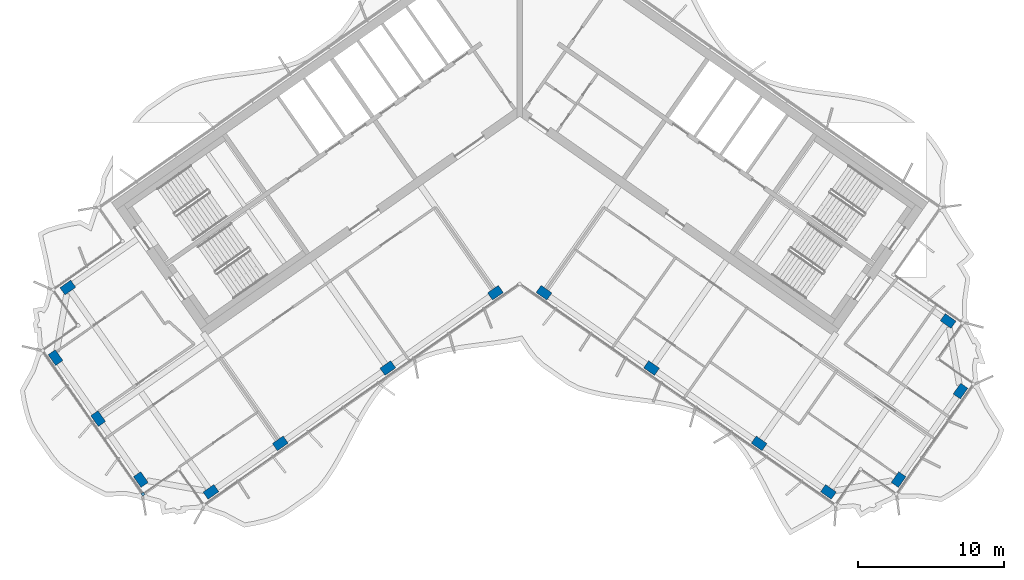
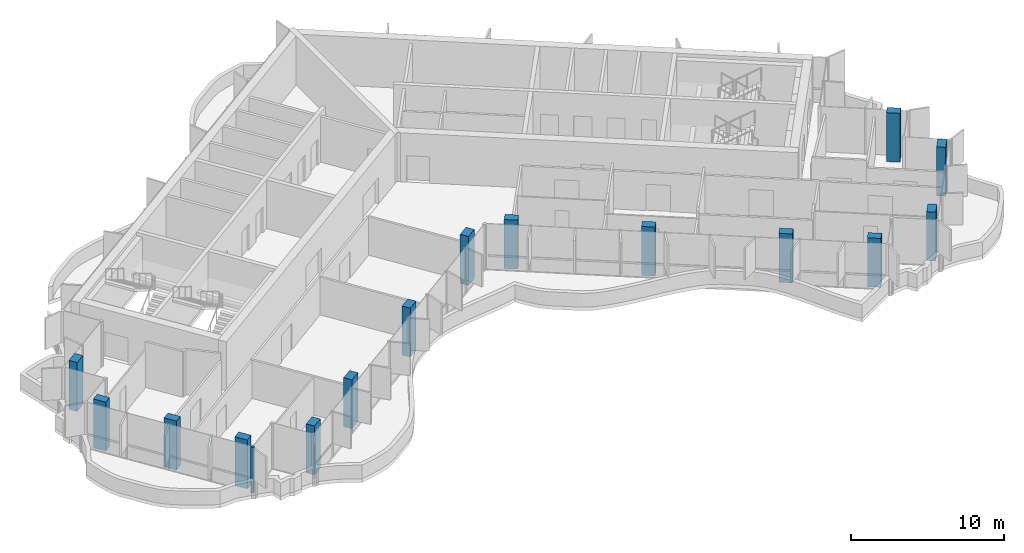
# One storey, part 1 of 18: 15 columns, 1 member, 1 element without a shape of its own.
"""IFC4 building model written with IfcOpenShell, lengths in metres."""

import ifcopenshell
import ifcopenshell.guid

model = None  # the IFC model being written
_history = None  # IfcOwnerHistory: only IFC2X3 demands one
_inside = {}  # id of a spatial element -> (the spatial element, [elements in it])
_under = {}  # id of a project, library or spatial element -> (it, [spatial elements below it])
_declared = {}  # id of a project -> (the project, [libraries it declares])
_typed = {}  # id of a type object -> (the type object, [elements of that type])
_made_of = {}  # id of a material, layer set ... -> (it, [elements and type objects made of it])


def new_model(schema):
    """Start an empty IFC model of exactly this schema.

    Asked for "IFC4X3", IfcOpenShell would pick the latest addendum, in which some entities
    have other attributes; the version numbers below select the first issue.
    IFC2X3 requires an IfcOwnerHistory on every rooted entity: one is made here for all.
    """
    global model, _history
    if schema == "IFC4X3":
        model = ifcopenshell.file(schema_version=(4, 3, 0, 0))
    else:
        model = ifcopenshell.file(schema=schema)
    _inside.clear()
    _under.clear()
    _declared.clear()
    _typed.clear()
    _made_of.clear()
    _history = None
    if model.schema == "IFC2X3":
        org = make("IfcOrganization", Name="unknown")
        user = make(
            "IfcPersonAndOrganization",
            ThePerson=make("IfcPerson", FamilyName="unknown"),
            TheOrganization=org,
        )
        app = make(
            "IfcApplication",
            ApplicationDeveloper=org,
            Version="unknown",
            ApplicationFullName="unknown",
            ApplicationIdentifier="unknown",
        )
        _history = make(
            "IfcOwnerHistory",
            OwningUser=user,
            OwningApplication=app,
            ChangeAction="ADDED",
            CreationDate=0,
        )
    return model


def make(cls, **values):
    """One entity of the class cls with the attributes given. An attribute that is None is left unset."""
    return model.create_entity(
        cls, **{name: value for name, value in values.items() if value is not None}
    )


def rooted(cls, **values):
    """An entity with a GlobalId (a new one), such as an element, a storey or a relation."""
    return make(cls, GlobalId=ifcopenshell.guid.new(), OwnerHistory=_history, **values)


def si_unit(unit_type, name, prefix=None):
    """IfcSIUnit, for example si_unit("LENGTHUNIT", "METRE", prefix="MILLI")."""
    return make("IfcSIUnit", UnitType=unit_type, Prefix=prefix, Name=name)


def assignment(units):
    """IfcUnitAssignment: the units of a project."""
    return None if units is None else make("IfcUnitAssignment", Units=units)


def point(xyz):
    """IfcCartesianPoint."""
    return None if xyz is None else make("IfcCartesianPoint", Coordinates=xyz)


def direction(xyz):
    """IfcDirection."""
    return None if xyz is None else make("IfcDirection", DirectionRatios=xyz)


def frame(location, z_axis=None, x_axis=None):
    """IfcAxis2Placement3D, a coordinate frame: its origin and axes. An axis left out is left unset."""
    return make(
        "IfcAxis2Placement3D",
        Location=point(location),
        Axis=direction(z_axis),
        RefDirection=direction(x_axis),
    )


def frame_2d(location, x_axis=None):
    """IfcAxis2Placement2D, a coordinate frame in the plane: its origin and x axis."""
    return make(
        "IfcAxis2Placement2D", Location=point(location), RefDirection=direction(x_axis)
    )


def origin():
    """The frame at (0, 0, 0) with its axes left unset."""
    return frame((0.0, 0.0, 0.0))


def origin_2d():
    """The frame at (0, 0) in the plane with its x axis left unset."""
    return frame_2d((0.0, 0.0))


def place(relative_to, where):
    """IfcLocalPlacement: puts the frame where relative to a parent placement (None: the world)."""
    return make(
        "IfcLocalPlacement", PlacementRelTo=relative_to, RelativePlacement=where
    )


def context(
    kind, dimensions, precision=None, world=None, true_north=None, identifier=None
):
    """IfcGeometricRepresentationContext, for example the 3D "Model" context."""
    return make(
        "IfcGeometricRepresentationContext",
        ContextIdentifier=identifier,
        ContextType=kind,
        CoordinateSpaceDimension=dimensions,
        Precision=precision,
        WorldCoordinateSystem=world,
        TrueNorth=true_north,
    )


def subcontext(parent, identifier, kind, view, scale=None):
    """IfcGeometricRepresentationSubContext, for example "Body" below "Model"."""
    return make(
        "IfcGeometricRepresentationSubContext",
        ContextIdentifier=identifier,
        ContextType=kind,
        ParentContext=parent,
        TargetScale=scale,
        TargetView=view,
    )


def project(units=None, contexts=None):
    """IfcProject with its units and contexts."""
    return rooted(
        "IfcProject",
        Name="project",
        RepresentationContexts=contexts,
        UnitsInContext=assignment(units),
    )


def spatial(cls, under=None, at=None, **own):
    """A site, building, storey or space (cls), placed at a placement, below another one or the project."""
    s = rooted(cls, ObjectPlacement=at, **own)
    if under is not None:
        _under.setdefault(under.id(), (under, []))[1].append(s)
    return s


def profile(cls, at=None, kind="AREA", **sizes):
    """A parametric profile (cls). Its sizes go by their IFC names, for example OverallWidth=200.0."""
    return make(cls, ProfileType=kind, Position=at, **sizes)


def rectangle(**sizes):
    """IfcRectangleProfileDef."""
    return profile("IfcRectangleProfileDef", **sizes)


def extrude(swept, where, along, depth):
    """IfcExtrudedAreaSolid: the profile swept, set in the frame where, extruded along a direction by depth."""
    return make(
        "IfcExtrudedAreaSolid",
        SweptArea=swept,
        Position=where,
        ExtrudedDirection=direction(along),
        Depth=depth,
    )


def shape(context_of_items, identifier, shape_type, items):
    """IfcShapeRepresentation: the items that make up one representation, for example the "Body"."""
    return make(
        "IfcShapeRepresentation",
        ContextOfItems=context_of_items,
        RepresentationIdentifier=identifier,
        RepresentationType=shape_type,
        Items=items,
    )


def material(Name=None, Category=None):
    """IfcMaterial."""
    return make("IfcMaterial", Name=Name, Category=Category)


def material_profile(
    of_material, cross_section, Name=None, Category=None, Priority=None
):
    """IfcMaterialProfile: a cross section and its material."""
    return make(
        "IfcMaterialProfile",
        Name=Name,
        Material=of_material,
        Profile=cross_section,
        Priority=Priority,
        Category=Category,
    )


def profile_set(profiles, Name=None, composite=None):
    """IfcMaterialProfileSet."""
    return make(
        "IfcMaterialProfileSet",
        Name=Name,
        MaterialProfiles=profiles,
        CompositeProfile=composite,
    )


def made_of(thing, what):
    """Note that an element or type object is made of a material, layer set ...; save() writes the relation."""
    if what is not None:
        _made_of.setdefault(what.id(), (what, []))[1].append(thing)
    return thing


def type_object(cls, material=None, **own):
    """A type object (cls), such as IfcWallType, which elements share."""
    return made_of(rooted(cls, **own), material)


def element(
    cls,
    number,
    at=None,
    inside=None,
    cuts=None,
    type_object=None,
    material=None,
    context=None,
    identifier="Body",
    shape_type=None,
    held_by="IfcProductDefinitionShape",
    body=None,
    shapes=None,
    **own,
):
    """One element of the class cls, such as IfcWall. Its Tag is "e" and its number.

    at: its placement. inside: the storey or other place that contains it. cuts: it is an
    opening in that element (IfcRelVoidsElement). A single representation is given by context,
    identifier, shape_type and body (its items); several are given by shapes. held_by: the class
    of the entity that holds the representations. save() writes the other relations.
    """
    e = rooted(cls, Tag="e%d" % number, ObjectPlacement=at, **own)
    if body is not None:
        shapes = [shape(context, identifier, shape_type, body)]
    if shapes is not None:
        e.Representation = make(held_by, Representations=shapes)
    if inside is not None:
        _inside.setdefault(inside.id(), (inside, []))[1].append(e)
    if cuts is not None:
        rooted(
            "IfcRelVoidsElement", RelatingBuildingElement=cuts, RelatedOpeningElement=e
        )
    if type_object is not None:
        _typed.setdefault(type_object.id(), (type_object, []))[1].append(e)
    return made_of(e, material)


def aggregate(whole, parts):
    """IfcRelAggregates: a whole, such as a stair, and the parts it consists of."""
    return rooted("IfcRelAggregates", RelatingObject=whole, RelatedObjects=parts)


def save(model, path):
    """Write the relations noted so far, then the file.

    IfcRelAggregates (storeys below a building ...), IfcRelContainedInSpatialStructure (elements
    in a storey), IfcRelDefinesByType, IfcRelAssociatesMaterial and IfcRelDeclares: one each for
    every whole, place, type object, material and project.
    """
    for whole, parts in _under.values():
        aggregate(whole, parts)
    for where, things in _inside.values():
        rooted(
            "IfcRelContainedInSpatialStructure",
            RelatedElements=things,
            RelatingStructure=where,
        )
    for kind, things in _typed.values():
        rooted("IfcRelDefinesByType", RelatedObjects=things, RelatingType=kind)
    for what, things in _made_of.values():
        rooted("IfcRelAssociatesMaterial", RelatedObjects=things, RelatingMaterial=what)
    for by, libraries in _declared.values():
        rooted("IfcRelDeclares", RelatingContext=by, RelatedDefinitions=libraries)
    model.write(path)


model = new_model("IFC4")

# Units and contexts
model_context = context("Model", 3, precision=1e-05, world=origin(), true_north=direction((0.0, 1.0)))
body_context = subcontext(model_context, "Body", "Model", "MODEL_VIEW")
ifc_project = project(units=[si_unit("LENGTHUNIT", "METRE"), si_unit("AREAUNIT", "SQUARE_METRE"), si_unit("VOLUMEUNIT", "CUBIC_METRE"), si_unit("PLANEANGLEUNIT", "RADIAN"), si_unit("MASSUNIT", "GRAM", prefix="KILO")], contexts=[model_context])

# Site, building, storey
site_placement = place(None, origin())
site = spatial("IfcSite", under=ifc_project, at=site_placement, CompositionType="ELEMENT")
building_placement = place(site_placement, origin())
building = spatial("IfcBuilding", under=site, at=building_placement, Name="Tel Ilan Convention Tower", CompositionType="ELEMENT")
storey_placement = place(building_placement, frame((0.0, 0.0, 256.60009765625)))
storey = spatial("IfcBuildingStorey", under=building, at=storey_placement, Name="L60", CompositionType="ELEMENT", Elevation=256.60009765625)

# Columns
ifc_material_1 = material(Name="Concrete C40/50", Category="concrete")
ifc_material_profile_1 = material_profile(ifc_material_1, rectangle(XDim=0.89990234375, YDim=0.60009765625, at=origin_2d()), Name="RC 600x900")
ifc_profile_set_1 = profile_set([ifc_material_profile_1], Name="Concrete C40/50")
column_type = type_object("IfcColumnType", Name="Column RC 600x900 C40/50", PredefinedType="COLUMN", material=ifc_profile_set_1)
for number, where, z_axis, x_axis, name in (
    (1, (-1.665283203125, -13.312744140625, 0.0), (0.0, 0.0, 1.0), (-0.819152044289, -0.573576436351, 0.0), "L60 column W-F1"),
    (2, (-9.03759765625, -18.474853515625, 0.0), (0.0, 0.0, 1.0), (-0.819152044289, -0.573576436351, 0.0), "L60 column W-F2"),
    (3, (-16.409912109375, -23.63720703125, 0.0), (0.0, 0.0, 1.0), (-0.819152044289, -0.573576436351, 0.0), "L60 column W-F3"),
    (4, (-21.1611328125, -26.9638671875, 0.0), (0.0, 0.0, 1.0), (-0.819152044289, -0.573576436351, 0.0), "L60 column W-FC"),
    (5, (-30.96923828125, -12.956298828125, 0.0), (0.0, 0.0, 1.0), (-0.819152044289, -0.573576436351, 0.0), "L60 column W-BC"),
    (6, (-25.966064453125, -26.11669921875, 0.0), (0.0, 0.0, 1.0), (-0.573576436351, 0.819152044289, 0.0), "L60 column W-E1"),
    (7, (-28.891357421875, -21.93896484375, 0.0), (0.0, 0.0, 1.0), (-0.573576436351, 0.819152044289, 0.0), "L60 column W-E2"),
    (8, (-31.81640625, -17.76123046875, 0.0), (0.0, 0.0, 1.0), (-0.573576436351, 0.819152044289, 0.0), "L60 column W-E3"),
    (9, (1.665283203125, -13.312744140625, 0.0), (0.0, 0.0, 1.0), (0.819152044289, -0.573576436351, 0.0), "L60 column E-F1"),
    (10, (9.03759765625, -18.474853515625, 0.0), (0.0, 0.0, 1.0), (0.819152044289, -0.573576436351, 0.0), "L60 column E-F2"),
    (11, (16.409912109375, -23.63720703125, 0.0), (0.0, 0.0, 1.0), (0.819152044289, -0.573576436351, 0.0), "L60 column E-F3"),
    (12, (21.1611328125, -26.9638671875, 0.0), (0.0, 0.0, 1.0), (0.819152044289, -0.573576436351, 0.0), "L60 column E-FC"),
    (13, (29.36328125, -15.25, 0.0), (0.0, 0.0, 1.0), (0.819152044289, -0.573576436351, 0.0), "L60 column E-BC"),
    (14, (25.966064453125, -26.11669921875, 0.0), (0.0, 0.0, 1.0), (0.573576436351, 0.819152044289, 0.0), "L60 column E-E1"),
    (15, (30.21044921875, -20.054931640625, 0.0), (0.0, 0.0, 1.0), (0.573576436351, 0.819152044289, 0.0), "L60 column E-E2"),
):
    element("IfcColumn", number, at=place(storey_placement, frame(where, z_axis=z_axis, x_axis=x_axis)), inside=storey, type_object=column_type, Name=name, PredefinedType="COLUMN", context=body_context, shape_type="SweptSolid", body=[
        extrude(rectangle(XDim=0.89990234375, YDim=0.60009765625, at=origin_2d()), origin(), (0.0, 0.0, 1.0), 3.89990234375),
    ])

# Curtain wall, member
ifc_material_2 = material(Name="Aluminium, bronze anodised", Category="aluminium")
curtain_wall_type = type_object("IfcCurtainWallType", Name="CW5 STICK CURTAIN WALL, UPPER OFFICE LOW-IRON TINTED GLASS", PredefinedType="NOTDEFINED", material=ifc_material_2)
curtain_wall_placement = place(storey_placement, origin())
curtain_wall = element("IfcCurtainWall", 16, at=curtain_wall_placement, inside=storey, type_object=curtain_wall_type, Name="Curtain wall CW5-46.02", PredefinedType="NOTDEFINED")
ifc_material_3 = material(Name="Aluminium, bronze anodised", Category="aluminium")
ifc_material_profile_2 = material_profile(ifc_material_3, rectangle(XDim=0.199951171875, YDim=0.199951171875, at=origin_2d()), Name="CW CORNER MULLION 200x200")
ifc_profile_set_2 = profile_set([ifc_material_profile_2], Name="Aluminium, bronze anodised")
member_type = type_object("IfcMemberType", Name="CW CORNER MULLION 200x200", PredefinedType="MULLION", material=ifc_profile_set_2)
member_placement = place(storey_placement, frame((-25.818359375, -27.112060546875, 0.0), z_axis=(0.0, 0.0, 1.0), x_axis=(0.573576436351, -0.819152044289, 0.0)))
member = element("IfcMember", 17, at=member_placement, type_object=member_type, Name="Corner mullion", PredefinedType="MULLION", context=body_context, shape_type="SweptSolid", body=[
    extrude(rectangle(XDim=0.199951171875, YDim=0.199951171875, at=origin_2d()), origin(), (0.0, 0.0, 1.0), 3.619873046875),
])
aggregate(curtain_wall, [member])

save(model, "model.ifc")
